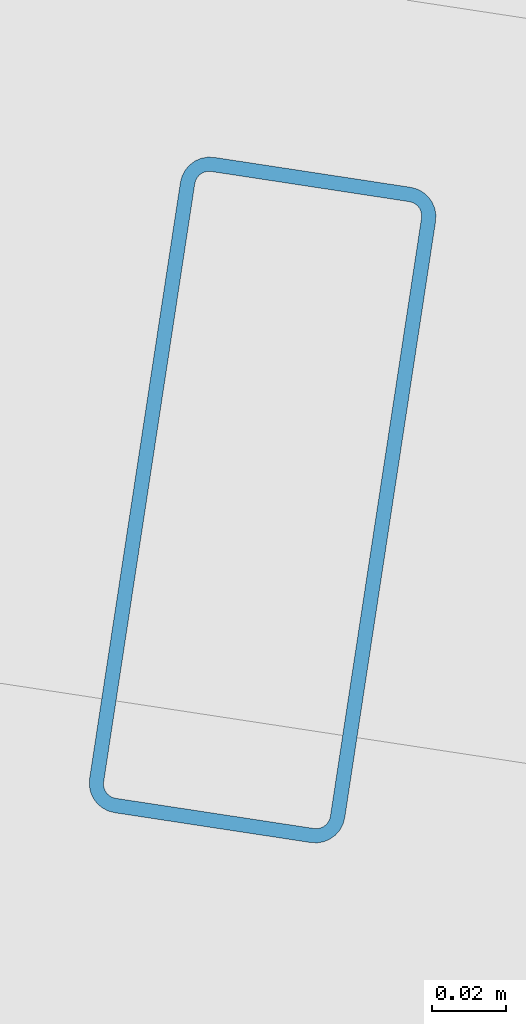
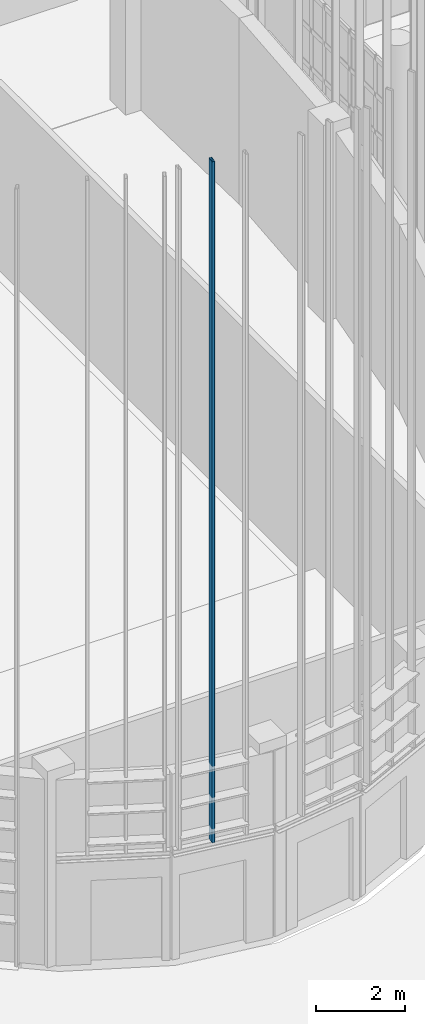
# One storey, part 136 of 372: 1 member.
"""IFC4 building model written with IfcOpenShell, lengths in metres."""

import ifcopenshell
import ifcopenshell.guid

model = None  # the IFC model being written
_history = None  # IfcOwnerHistory: only IFC2X3 demands one
_inside = {}  # id of a spatial element -> (the spatial element, [elements in it])
_under = {}  # id of a project, library or spatial element -> (it, [spatial elements below it])
_declared = {}  # id of a project -> (the project, [libraries it declares])
_typed = {}  # id of a type object -> (the type object, [elements of that type])
_made_of = {}  # id of a material, layer set ... -> (it, [elements and type objects made of it])


def new_model(schema):
    """Start an empty IFC model of exactly this schema.

    Asked for "IFC4X3", IfcOpenShell would pick the latest addendum, in which some entities
    have other attributes; the version numbers below select the first issue.
    IFC2X3 requires an IfcOwnerHistory on every rooted entity: one is made here for all.
    """
    global model, _history
    if schema == "IFC4X3":
        model = ifcopenshell.file(schema_version=(4, 3, 0, 0))
    else:
        model = ifcopenshell.file(schema=schema)
    _inside.clear()
    _under.clear()
    _declared.clear()
    _typed.clear()
    _made_of.clear()
    _history = None
    if model.schema == "IFC2X3":
        org = make("IfcOrganization", Name="unknown")
        user = make(
            "IfcPersonAndOrganization",
            ThePerson=make("IfcPerson", FamilyName="unknown"),
            TheOrganization=org,
        )
        app = make(
            "IfcApplication",
            ApplicationDeveloper=org,
            Version="unknown",
            ApplicationFullName="unknown",
            ApplicationIdentifier="unknown",
        )
        _history = make(
            "IfcOwnerHistory",
            OwningUser=user,
            OwningApplication=app,
            ChangeAction="ADDED",
            CreationDate=0,
        )
    return model


def make(cls, **values):
    """One entity of the class cls with the attributes given. An attribute that is None is left unset."""
    return model.create_entity(
        cls, **{name: value for name, value in values.items() if value is not None}
    )


def rooted(cls, **values):
    """An entity with a GlobalId (a new one), such as an element, a storey or a relation."""
    return make(cls, GlobalId=ifcopenshell.guid.new(), OwnerHistory=_history, **values)


def si_unit(unit_type, name, prefix=None):
    """IfcSIUnit, for example si_unit("LENGTHUNIT", "METRE", prefix="MILLI")."""
    return make("IfcSIUnit", UnitType=unit_type, Prefix=prefix, Name=name)


def assignment(units):
    """IfcUnitAssignment: the units of a project."""
    return None if units is None else make("IfcUnitAssignment", Units=units)


def point(xyz):
    """IfcCartesianPoint."""
    return None if xyz is None else make("IfcCartesianPoint", Coordinates=xyz)


def direction(xyz):
    """IfcDirection."""
    return None if xyz is None else make("IfcDirection", DirectionRatios=xyz)


def frame(location, z_axis=None, x_axis=None):
    """IfcAxis2Placement3D, a coordinate frame: its origin and axes. An axis left out is left unset."""
    return make(
        "IfcAxis2Placement3D",
        Location=point(location),
        Axis=direction(z_axis),
        RefDirection=direction(x_axis),
    )


def frame_2d(location, x_axis=None):
    """IfcAxis2Placement2D, a coordinate frame in the plane: its origin and x axis."""
    return make(
        "IfcAxis2Placement2D", Location=point(location), RefDirection=direction(x_axis)
    )


def origin():
    """The frame at (0, 0, 0) with its axes left unset."""
    return frame((0.0, 0.0, 0.0))


def origin_2d():
    """The frame at (0, 0) in the plane with its x axis left unset."""
    return frame_2d((0.0, 0.0))


def place(relative_to, where):
    """IfcLocalPlacement: puts the frame where relative to a parent placement (None: the world)."""
    return make(
        "IfcLocalPlacement", PlacementRelTo=relative_to, RelativePlacement=where
    )


def context(
    kind, dimensions, precision=None, world=None, true_north=None, identifier=None
):
    """IfcGeometricRepresentationContext, for example the 3D "Model" context."""
    return make(
        "IfcGeometricRepresentationContext",
        ContextIdentifier=identifier,
        ContextType=kind,
        CoordinateSpaceDimension=dimensions,
        Precision=precision,
        WorldCoordinateSystem=world,
        TrueNorth=true_north,
    )


def subcontext(parent, identifier, kind, view, scale=None):
    """IfcGeometricRepresentationSubContext, for example "Body" below "Model"."""
    return make(
        "IfcGeometricRepresentationSubContext",
        ContextIdentifier=identifier,
        ContextType=kind,
        ParentContext=parent,
        TargetScale=scale,
        TargetView=view,
    )


def project(units=None, contexts=None):
    """IfcProject with its units and contexts."""
    return rooted(
        "IfcProject",
        Name="project",
        RepresentationContexts=contexts,
        UnitsInContext=assignment(units),
    )


def spatial(cls, under=None, at=None, **own):
    """A site, building, storey or space (cls), placed at a placement, below another one or the project."""
    s = rooted(cls, ObjectPlacement=at, **own)
    if under is not None:
        _under.setdefault(under.id(), (under, []))[1].append(s)
    return s


def profile(cls, at=None, kind="AREA", **sizes):
    """A parametric profile (cls). Its sizes go by their IFC names, for example OverallWidth=200.0."""
    return make(cls, ProfileType=kind, Position=at, **sizes)


def hollow_rectangle(**sizes):
    """IfcRectangleHollowProfileDef."""
    return profile("IfcRectangleHollowProfileDef", **sizes)


def extrude(swept, where, along, depth):
    """IfcExtrudedAreaSolid: the profile swept, set in the frame where, extruded along a direction by depth."""
    return make(
        "IfcExtrudedAreaSolid",
        SweptArea=swept,
        Position=where,
        ExtrudedDirection=direction(along),
        Depth=depth,
    )


def shape(context_of_items, identifier, shape_type, items):
    """IfcShapeRepresentation: the items that make up one representation, for example the "Body"."""
    return make(
        "IfcShapeRepresentation",
        ContextOfItems=context_of_items,
        RepresentationIdentifier=identifier,
        RepresentationType=shape_type,
        Items=items,
    )


def material(Name=None, Category=None):
    """IfcMaterial."""
    return make("IfcMaterial", Name=Name, Category=Category)


def material_profile(
    of_material, cross_section, Name=None, Category=None, Priority=None
):
    """IfcMaterialProfile: a cross section and its material."""
    return make(
        "IfcMaterialProfile",
        Name=Name,
        Material=of_material,
        Profile=cross_section,
        Priority=Priority,
        Category=Category,
    )


def profile_set(profiles, Name=None, composite=None):
    """IfcMaterialProfileSet."""
    return make(
        "IfcMaterialProfileSet",
        Name=Name,
        MaterialProfiles=profiles,
        CompositeProfile=composite,
    )


def made_of(thing, what):
    """Note that an element or type object is made of a material, layer set ...; save() writes the relation."""
    if what is not None:
        _made_of.setdefault(what.id(), (what, []))[1].append(thing)
    return thing


def type_object(cls, material=None, **own):
    """A type object (cls), such as IfcWallType, which elements share."""
    return made_of(rooted(cls, **own), material)


def element(
    cls,
    number,
    at=None,
    inside=None,
    cuts=None,
    type_object=None,
    material=None,
    context=None,
    identifier="Body",
    shape_type=None,
    held_by="IfcProductDefinitionShape",
    body=None,
    shapes=None,
    **own,
):
    """One element of the class cls, such as IfcWall. Its Tag is "e" and its number.

    at: its placement. inside: the storey or other place that contains it. cuts: it is an
    opening in that element (IfcRelVoidsElement). A single representation is given by context,
    identifier, shape_type and body (its items); several are given by shapes. held_by: the class
    of the entity that holds the representations. save() writes the other relations.
    """
    e = rooted(cls, Tag="e%d" % number, ObjectPlacement=at, **own)
    if body is not None:
        shapes = [shape(context, identifier, shape_type, body)]
    if shapes is not None:
        e.Representation = make(held_by, Representations=shapes)
    if inside is not None:
        _inside.setdefault(inside.id(), (inside, []))[1].append(e)
    if cuts is not None:
        rooted(
            "IfcRelVoidsElement", RelatingBuildingElement=cuts, RelatedOpeningElement=e
        )
    if type_object is not None:
        _typed.setdefault(type_object.id(), (type_object, []))[1].append(e)
    return made_of(e, material)


def aggregate(whole, parts):
    """IfcRelAggregates: a whole, such as a stair, and the parts it consists of."""
    return rooted("IfcRelAggregates", RelatingObject=whole, RelatedObjects=parts)


def save(model, path):
    """Write the relations noted so far, then the file.

    IfcRelAggregates (storeys below a building ...), IfcRelContainedInSpatialStructure (elements
    in a storey), IfcRelDefinesByType, IfcRelAssociatesMaterial and IfcRelDeclares: one each for
    every whole, place, type object, material and project.
    """
    for whole, parts in _under.values():
        aggregate(whole, parts)
    for where, things in _inside.values():
        rooted(
            "IfcRelContainedInSpatialStructure",
            RelatedElements=things,
            RelatingStructure=where,
        )
    for kind, things in _typed.values():
        rooted("IfcRelDefinesByType", RelatedObjects=things, RelatingType=kind)
    for what, things in _made_of.values():
        rooted("IfcRelAssociatesMaterial", RelatedObjects=things, RelatingMaterial=what)
    for by, libraries in _declared.values():
        rooted("IfcRelDeclares", RelatingContext=by, RelatedDefinitions=libraries)
    model.write(path)


model = new_model("IFC4")

# Units and contexts
model_context = context("Model", 3, precision=1e-05, world=origin(), true_north=direction((0.0, 1.0)))
body_context = subcontext(model_context, "Body", "Model", "MODEL_VIEW")
ifc_project = project(units=[si_unit("LENGTHUNIT", "METRE"), si_unit("AREAUNIT", "SQUARE_METRE"), si_unit("VOLUMEUNIT", "CUBIC_METRE"), si_unit("PLANEANGLEUNIT", "RADIAN"), si_unit("MASSUNIT", "GRAM", prefix="KILO")], contexts=[model_context])

# Site, building, storey
site_placement = place(None, origin())
site = spatial("IfcSite", under=ifc_project, at=site_placement, CompositionType="ELEMENT")
building_placement = place(site_placement, origin())
building = spatial("IfcBuilding", under=site, at=building_placement, Name="Kaelora Sail Theatre", CompositionType="ELEMENT")
storey_placement = place(building_placement, origin())
storey = spatial("IfcBuildingStorey", under=building, at=storey_placement, Name="L00", CompositionType="ELEMENT", Elevation=0.0)

# Member
ifc_material = material(Name="Anodised aluminium 6063-T6", Category="aluminium")
ifc_material_profile = material_profile(ifc_material, hollow_rectangle(XDim=0.070068359375, YDim=0.179931640625, WallThickness=0.00390625, InnerFilletRadius=0.00390625, OuterFilletRadius=0.008056640625, at=origin_2d()), Name="ALU-MULL 70x180x4")
ifc_profile_set = profile_set([ifc_material_profile], Name="Anodised aluminium 6063-T6")
member_type = type_object("IfcMemberType", Name="ARC-MEM-PST-160", PredefinedType="POST", material=ifc_profile_set)
member_placement = place(storey_placement, frame((89.076171875, 31.22900390625, 3.10009765625), z_axis=(0.0, 0.0, 1.0), x_axis=(-0.988599245884, 0.150570684524, 0.0)))
element("IfcMember", 1, at=member_placement, inside=storey, type_object=member_type, Name="Studio Theatre Sail Drum solar louvre vertical support post C11-2", PredefinedType="POST", context=body_context, shape_type="SweptSolid", body=[
    extrude(hollow_rectangle(XDim=0.070068359375, YDim=0.179931640625, WallThickness=0.00390625, InnerFilletRadius=0.00390625, OuterFilletRadius=0.008056640625, at=origin_2d()), origin(), (0.0, 0.0, 1.0), 18.702392578125),
])

save(model, "model.ifc")
